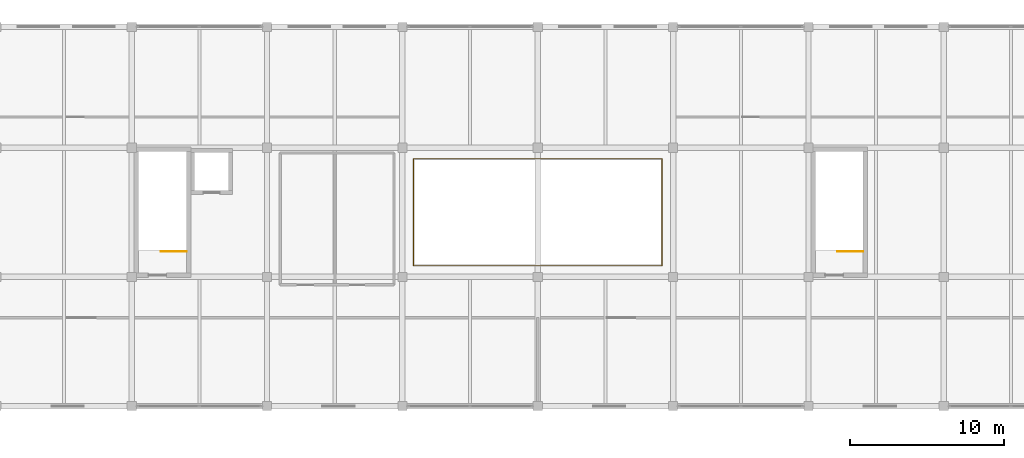
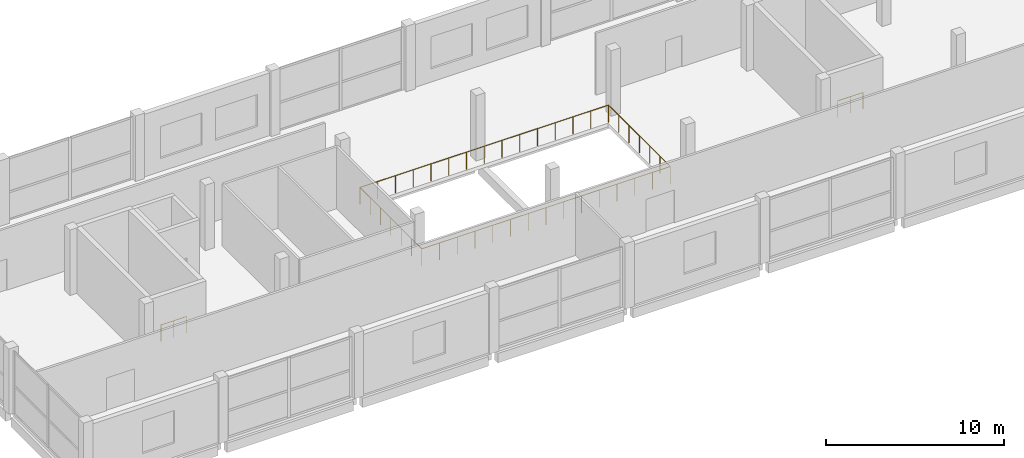
# One storey, part 17 of 18: 3 railings.
"""IFC4 building model written with IfcOpenShell, lengths in metres."""

from ifc_helpers import new_model, si_unit, direction, frame, origin, origin_2d, place, context, subcontext, project, spatial, circle, extrude, material, type_object, element, save


model = new_model("IFC4")

# Units and contexts
model_context = context("Model", 3, precision=1e-05, world=origin(), true_north=direction((0.0, 1.0)))
body_context = subcontext(model_context, "Body", "Model", "MODEL_VIEW")
ifc_project = project(units=[si_unit("LENGTHUNIT", "METRE"), si_unit("AREAUNIT", "SQUARE_METRE"), si_unit("VOLUMEUNIT", "CUBIC_METRE"), si_unit("PLANEANGLEUNIT", "RADIAN"), si_unit("MASSUNIT", "GRAM", prefix="KILO")], contexts=[model_context])

# Site, building, storey
site_placement = place(None, origin())
site = spatial("IfcSite", under=ifc_project, at=site_placement, CompositionType="ELEMENT")
building_placement = place(site_placement, origin())
building = spatial("IfcBuilding", under=site, at=building_placement, Name="Brinegate Botanical Conservatory", CompositionType="ELEMENT")
storey_placement = place(building_placement, frame((0.0, 0.0, 14.699951171875)))
storey = spatial("IfcBuildingStorey", under=building, at=storey_placement, Name="L04", CompositionType="ELEMENT", Elevation=14.699951171875)

# Railings
ifc_material_1 = material(Name="Structural steel Q355B / S355 and laminated glass balustrade", Category="steel")
railing_type_1 = type_object("IfcRailingType", Name="Rail_INT-BAL", PredefinedType="BALUSTRADE", material=ifc_material_1)
railing_placement = place(storey_placement, frame((77.919921875, 95.919921875, 0.0)))
element("IfcRailing", 1, at=railing_placement, inside=storey, type_object=railing_type_1, Name="Visitor Wing skylit atrium balustrade L04", PredefinedType="BALUSTRADE", context=body_context, shape_type="SweptSolid", body=[
    extrude(circle(Radius=0.02392578125, at=origin_2d()), frame((0.0, 0.0, 1.17578125), z_axis=(1.0, 0.0, 0.0), x_axis=(0.0, 1.0, 0.0)), (0.0, 0.0, 1.0), 16.16015625),
    extrude(circle(Radius=0.02392578125, at=origin_2d()), frame((16.16015625, 0.0, 1.17578125), z_axis=(0.0, 1.0, 0.0), x_axis=(-1.0, 0.0, 0.0)), (0.0, 0.0, 1.0), 6.9599609375),
    extrude(circle(Radius=0.02392578125, at=origin_2d()), frame((16.16015625, 6.9599609375, 1.17578125), z_axis=(-1.0, 0.0, 0.0), x_axis=(0.0, -1.0, 0.0)), (0.0, 0.0, 1.0), 16.16015625),
    extrude(circle(Radius=0.02392578125, at=origin_2d()), frame((0.0, 6.9599609375, 1.17578125), z_axis=(0.0, -1.0, 0.0), x_axis=(1.0, 0.0, 0.0)), (0.0, 0.0, 1.0), 6.9599609375),
    extrude(circle(Radius=0.02099609375, at=origin_2d()), origin(), (0.0, 0.0, 1.0), 1.15185546875),
    extrude(circle(Radius=0.02099609375, at=origin_2d()), frame((1.154296875, 0.0, 0.0)), (0.0, 0.0, 1.0), 1.15185546875),
    extrude(circle(Radius=0.02099609375, at=origin_2d()), frame((2.30859375, 0.0, 0.0)), (0.0, 0.0, 1.0), 1.15185546875),
    extrude(circle(Radius=0.02099609375, at=origin_2d()), frame((3.462890625, 0.0, 0.0)), (0.0, 0.0, 1.0), 1.15185546875),
    extrude(circle(Radius=0.02099609375, at=origin_2d()), frame((4.6171875, 0.0, 0.0)), (0.0, 0.0, 1.0), 1.15185546875),
    extrude(circle(Radius=0.02099609375, at=origin_2d()), frame((5.771484375, 0.0, 0.0)), (0.0, 0.0, 1.0), 1.15185546875),
    extrude(circle(Radius=0.02099609375, at=origin_2d()), frame((6.92578125, 0.0, 0.0)), (0.0, 0.0, 1.0), 1.15185546875),
    extrude(circle(Radius=0.02099609375, at=origin_2d()), frame((8.080078125, 0.0, 0.0)), (0.0, 0.0, 1.0), 1.15185546875),
    extrude(circle(Radius=0.02099609375, at=origin_2d()), frame((9.234375, 0.0, 0.0)), (0.0, 0.0, 1.0), 1.15185546875),
    extrude(circle(Radius=0.02099609375, at=origin_2d()), frame((10.388671875, 0.0, 0.0)), (0.0, 0.0, 1.0), 1.15185546875),
    extrude(circle(Radius=0.02099609375, at=origin_2d()), frame((11.54296875, 0.0, 0.0)), (0.0, 0.0, 1.0), 1.15185546875),
    extrude(circle(Radius=0.02099609375, at=origin_2d()), frame((12.697265625, 0.0, 0.0)), (0.0, 0.0, 1.0), 1.15185546875),
    extrude(circle(Radius=0.02099609375, at=origin_2d()), frame((13.8515625, 0.0, 0.0)), (0.0, 0.0, 1.0), 1.15185546875),
    extrude(circle(Radius=0.02099609375, at=origin_2d()), frame((15.005859375, 0.0, 0.0)), (0.0, 0.0, 1.0), 1.15185546875),
    extrude(circle(Radius=0.02099609375, at=origin_2d()), frame((16.16015625, 0.0, 0.0)), (0.0, 0.0, 1.0), 1.15185546875),
    extrude(circle(Radius=0.02099609375, at=origin_2d()), frame((16.16015625, 1.159912109375, 0.0)), (0.0, 0.0, 1.0), 1.15185546875),
    extrude(circle(Radius=0.02099609375, at=origin_2d()), frame((16.16015625, 2.320068359375, 0.0)), (0.0, 0.0, 1.0), 1.15185546875),
    extrude(circle(Radius=0.02099609375, at=origin_2d()), frame((16.16015625, 3.47998046875, 0.0)), (0.0, 0.0, 1.0), 1.15185546875),
    extrude(circle(Radius=0.02099609375, at=origin_2d()), frame((16.16015625, 4.639892578125, 0.0)), (0.0, 0.0, 1.0), 1.15185546875),
    extrude(circle(Radius=0.02099609375, at=origin_2d()), frame((16.16015625, 5.800048828125, 0.0)), (0.0, 0.0, 1.0), 1.15185546875),
    extrude(circle(Radius=0.02099609375, at=origin_2d()), frame((16.16015625, 6.9599609375, 0.0)), (0.0, 0.0, 1.0), 1.15185546875),
    extrude(circle(Radius=0.02099609375, at=origin_2d()), frame((15.005859375, 6.9599609375, 0.0)), (0.0, 0.0, 1.0), 1.15185546875),
    extrude(circle(Radius=0.02099609375, at=origin_2d()), frame((13.8515625, 6.9599609375, 0.0)), (0.0, 0.0, 1.0), 1.15185546875),
    extrude(circle(Radius=0.02099609375, at=origin_2d()), frame((12.697265625, 6.9599609375, 0.0)), (0.0, 0.0, 1.0), 1.15185546875),
    extrude(circle(Radius=0.02099609375, at=origin_2d()), frame((11.54296875, 6.9599609375, 0.0)), (0.0, 0.0, 1.0), 1.15185546875),
    extrude(circle(Radius=0.02099609375, at=origin_2d()), frame((10.388671875, 6.9599609375, 0.0)), (0.0, 0.0, 1.0), 1.15185546875),
    extrude(circle(Radius=0.02099609375, at=origin_2d()), frame((9.234375, 6.9599609375, 0.0)), (0.0, 0.0, 1.0), 1.15185546875),
    extrude(circle(Radius=0.02099609375, at=origin_2d()), frame((8.080078125, 6.9599609375, 0.0)), (0.0, 0.0, 1.0), 1.15185546875),
    extrude(circle(Radius=0.02099609375, at=origin_2d()), frame((6.92578125, 6.9599609375, 0.0)), (0.0, 0.0, 1.0), 1.15185546875),
    extrude(circle(Radius=0.02099609375, at=origin_2d()), frame((5.771484375, 6.9599609375, 0.0)), (0.0, 0.0, 1.0), 1.15185546875),
    extrude(circle(Radius=0.02099609375, at=origin_2d()), frame((4.6171875, 6.9599609375, 0.0)), (0.0, 0.0, 1.0), 1.15185546875),
    extrude(circle(Radius=0.02099609375, at=origin_2d()), frame((3.462890625, 6.9599609375, 0.0)), (0.0, 0.0, 1.0), 1.15185546875),
    extrude(circle(Radius=0.02099609375, at=origin_2d()), frame((2.30859375, 6.9599609375, 0.0)), (0.0, 0.0, 1.0), 1.15185546875),
    extrude(circle(Radius=0.02099609375, at=origin_2d()), frame((1.154296875, 6.9599609375, 0.0)), (0.0, 0.0, 1.0), 1.15185546875),
    extrude(circle(Radius=0.02099609375, at=origin_2d()), frame((0.0, 6.9599609375, 0.0)), (0.0, 0.0, 1.0), 1.15185546875),
    extrude(circle(Radius=0.02099609375, at=origin_2d()), frame((0.0, 5.800048828125, 0.0)), (0.0, 0.0, 1.0), 1.15185546875),
    extrude(circle(Radius=0.02099609375, at=origin_2d()), frame((0.0, 4.639892578125, 0.0)), (0.0, 0.0, 1.0), 1.15185546875),
    extrude(circle(Radius=0.02099609375, at=origin_2d()), frame((0.0, 3.47998046875, 0.0)), (0.0, 0.0, 1.0), 1.15185546875),
    extrude(circle(Radius=0.02099609375, at=origin_2d()), frame((0.0, 2.320068359375, 0.0)), (0.0, 0.0, 1.0), 1.15185546875),
    extrude(circle(Radius=0.02099609375, at=origin_2d()), frame((0.0, 1.159912109375, 0.0)), (0.0, 0.0, 1.0), 1.15185546875),
])
ifc_material_2 = material(Name="Structural steel Q355B / S355 painted tubular guardrail", Category="steel")
railing_type_2 = type_object("IfcRailingType", Name="Rail_ST-GRD", PredefinedType="GUARDRAIL", material=ifc_material_2)
for number, where, name in (
    (2, (63.14990234375, 96.85009765625, 0.0), "L04 ST3 top well guard 1"),
    (3, (107.14990234375, 96.85009765625, 0.0), "L04 ST4 top well guard 1"),
):
    element("IfcRailing", number, at=place(storey_placement, frame(where)), inside=storey, type_object=railing_type_2, Name=name, PredefinedType="GUARDRAIL", context=body_context, shape_type="SweptSolid", body=[
        extrude(circle(Radius=0.02392578125, at=origin_2d()), frame((0.0, 0.0, 1.1259765625), z_axis=(-1.0, 0.0, 0.0), x_axis=(0.0, -1.0, 0.0)), (0.0, 0.0, 1.0), 1.64990234375),
        extrude(circle(Radius=0.02099609375, at=origin_2d()), origin(), (0.0, 0.0, 1.0), 1.101806640625),
        extrude(circle(Radius=0.02099609375, at=origin_2d()), frame((-0.824951171875, 0.0, 0.0)), (0.0, 0.0, 1.0), 1.101806640625),
        extrude(circle(Radius=0.02099609375, at=origin_2d()), frame((-1.64990234375, 0.0, 0.0)), (0.0, 0.0, 1.0), 1.101806640625),
    ])

save(model, "model.ifc")
